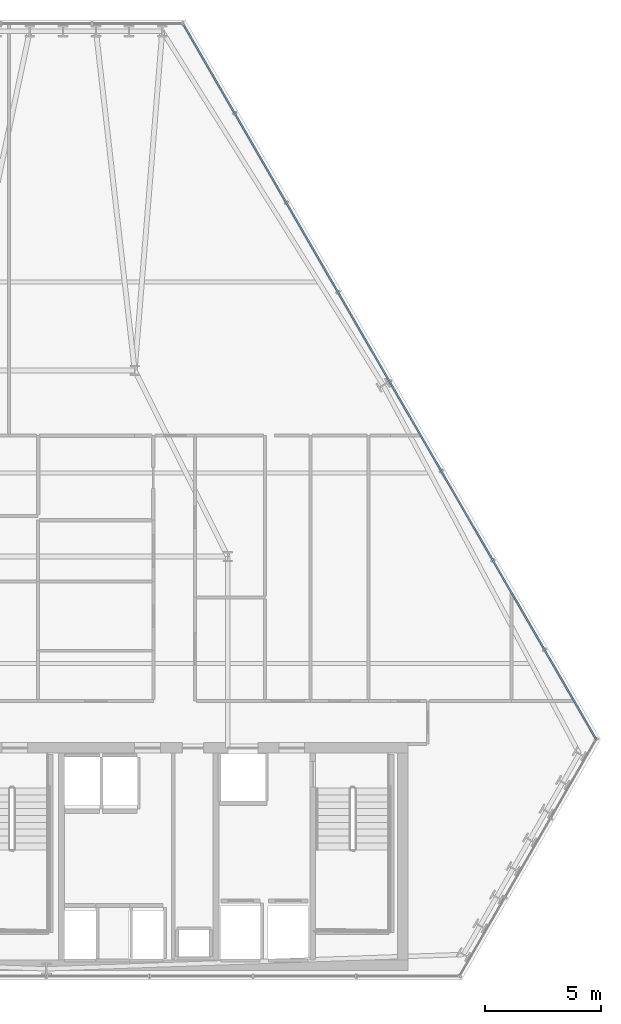
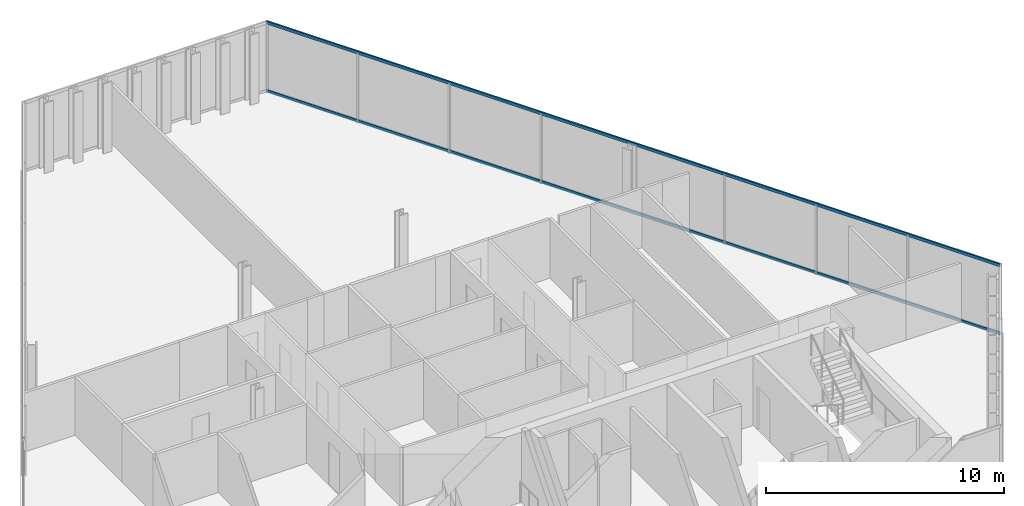
# One storey, part 18 of 31: 2 members, 1 element without a shape of its own.
"""IFC4 building model written with IfcOpenShell, lengths in metres."""

from ifc_helpers import new_model, si_unit, direction, frame, origin, origin_2d, place, context, subcontext, project, spatial, hollow_rectangle, extrude, material, layer, layer_set, material_profile, profile_set, type_object, element, aggregate, save


model = new_model("IFC4")

# Units and contexts
model_context = context("Model", 3, precision=1e-05, world=origin(), true_north=direction((0.0, 1.0)))
body_context = subcontext(model_context, "Body", "Model", "MODEL_VIEW")
ifc_project = project(units=[si_unit("LENGTHUNIT", "METRE"), si_unit("AREAUNIT", "SQUARE_METRE"), si_unit("VOLUMEUNIT", "CUBIC_METRE"), si_unit("PLANEANGLEUNIT", "RADIAN"), si_unit("MASSUNIT", "GRAM", prefix="KILO")], contexts=[model_context])

# Site, building, storey
site_placement = place(None, origin())
site = spatial("IfcSite", under=ifc_project, at=site_placement, CompositionType="ELEMENT")
building_placement = place(site_placement, origin())
building = spatial("IfcBuilding", under=site, at=building_placement, Name="Ndaravel Arena Tower", CompositionType="ELEMENT")
storey_placement = place(building_placement, frame((0.0, 0.0, 142.199951171875)))
storey = spatial("IfcBuildingStorey", under=building, at=storey_placement, Name="L33", CompositionType="ELEMENT", Elevation=142.199951171875)

# Curtain wall, members
ifc_material_1 = material(Name="Aluminium", Category="aluminium")
ifc_layer = layer(ifc_material_1, 0.179931640625)
ifc_layer_set = layer_set([ifc_layer], Name="Aluminium")
curtain_wall_type = type_object("IfcCurtainWallType", Name="CW-SYS-03", PredefinedType="NOTDEFINED", material=ifc_layer_set)
curtain_wall_placement = place(storey_placement, origin())
curtain_wall = element("IfcCurtainWall", 1, at=curtain_wall_placement, inside=storey, type_object=curtain_wall_type, Name="L33 Faceted Crystal Curtain Wall CW-L33-E03", PredefinedType="NOTDEFINED")
ifc_material_2 = material(Name="Aluminium", Category="aluminium")
ifc_material_profile = material_profile(ifc_material_2, hollow_rectangle(XDim=0.074951171875, YDim=0.14990234375, WallThickness=0.00390625, at=origin_2d()), Name="CW TRANSOM 75x150x4")
ifc_profile_set = profile_set([ifc_material_profile], Name="Aluminium")
member_type = type_object("IfcMemberType", Name="MEM-CW-TRN150", PredefinedType="USERDEFINED", material=ifc_profile_set)
member_1_placement = place(storey_placement, frame((65.639404296875, 15.34326171875, 0.0400390625), z_axis=(-0.499994154718, 0.866028778533, 0.0), x_axis=(-0.866028778533, -0.499994154718, 0.0)))
member_1 = element("IfcMember", 2, at=member_1_placement, type_object=member_type, Name="CW-L33-E03 Transom 01", ObjectType="TRANSOM", PredefinedType="USERDEFINED", context=body_context, shape_type="SweptSolid", body=[
    extrude(hollow_rectangle(XDim=0.074951171875, YDim=0.14990234375, WallThickness=0.00390625, at=origin_2d()), origin(), (0.0, 0.0, 1.0), 35.5205078125),
])
member_2_placement = place(storey_placement, frame((65.639404296875, 15.34326171875, 3.5400390625), z_axis=(-0.499994154718, 0.866028778533, 0.0), x_axis=(-0.866028778533, -0.499994154718, 0.0)))
member_2 = element("IfcMember", 3, at=member_2_placement, type_object=member_type, Name="CW-L33-E03 Transom 02", ObjectType="TRANSOM", PredefinedType="USERDEFINED", context=body_context, shape_type="SweptSolid", body=[
    extrude(hollow_rectangle(XDim=0.074951171875, YDim=0.14990234375, WallThickness=0.00390625, at=origin_2d()), origin(), (0.0, 0.0, 1.0), 35.5205078125),
])
aggregate(curtain_wall, [member_1, member_2])

save(model, "model.ifc")
